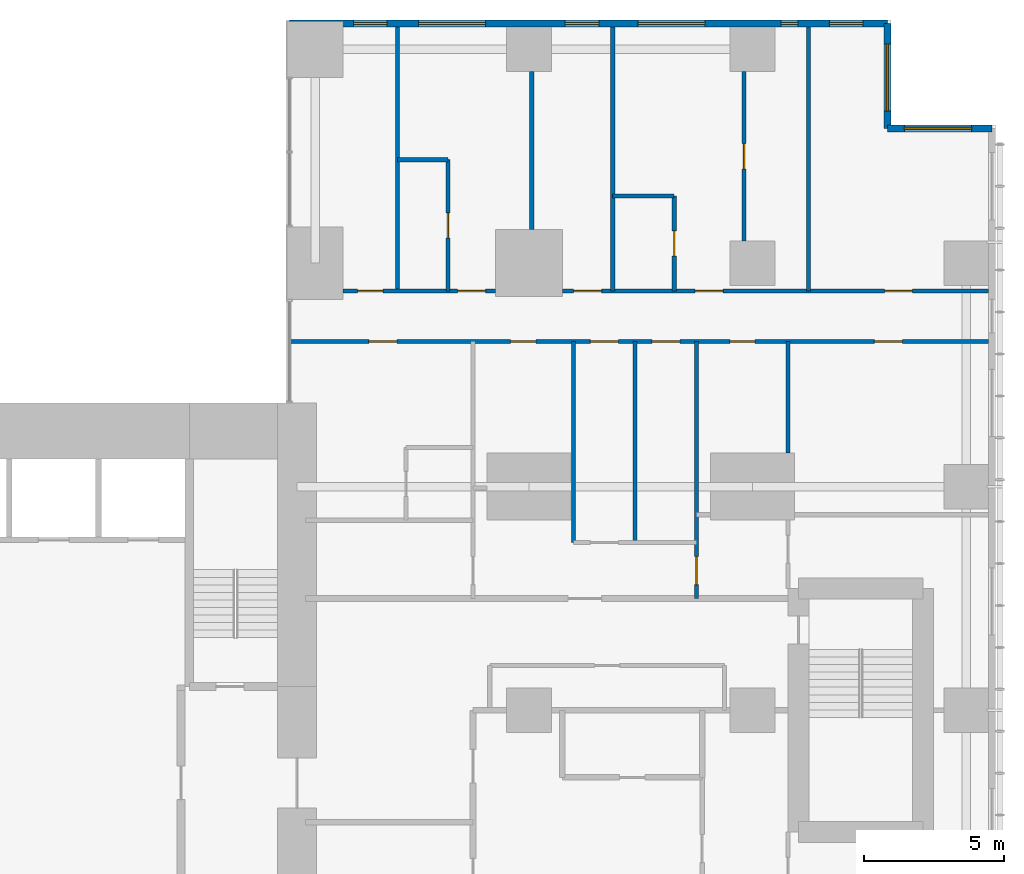
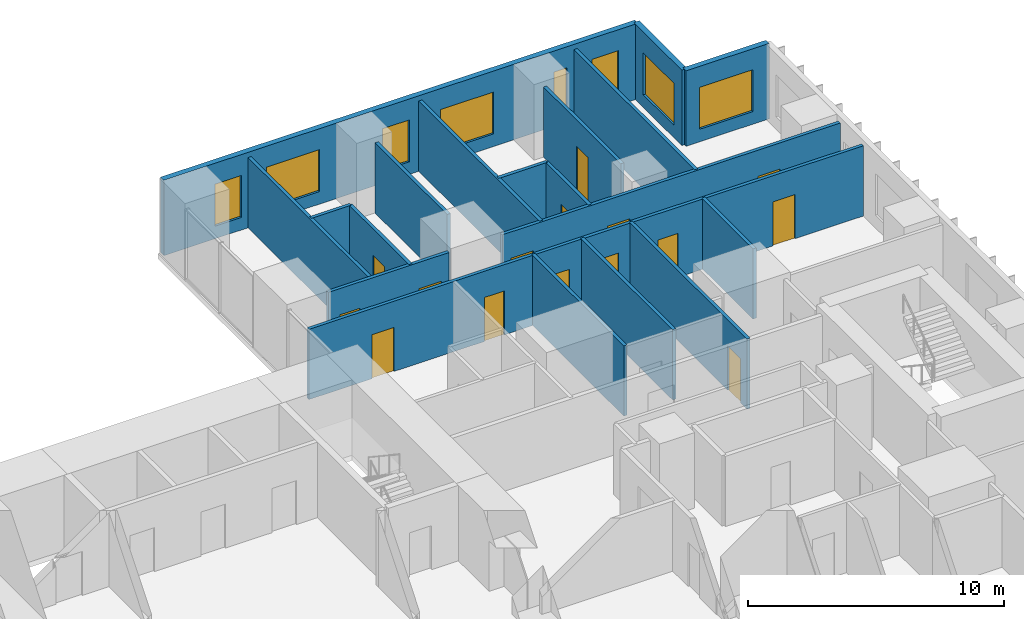
# One storey, part 10 of 12: 19 walls, 15 doors, 8 windows, 23 openings.
"""IFC4 building model written with IfcOpenShell, lengths in metres."""

from ifc_helpers import new_model, si_unit, direction, frame, frame_2d, origin, place, context, subcontext, project, spatial, rectangle, extrude, material, layer, layer_set, type_object, element, fill, save


model = new_model("IFC4")

# Units and contexts
model_context = context("Model", 3, precision=1e-05, world=origin(), true_north=direction((0.0, 1.0)))
body_context = subcontext(model_context, "Body", "Model", "MODEL_VIEW")
ifc_project = project(units=[si_unit("LENGTHUNIT", "METRE"), si_unit("AREAUNIT", "SQUARE_METRE"), si_unit("VOLUMEUNIT", "CUBIC_METRE"), si_unit("PLANEANGLEUNIT", "RADIAN"), si_unit("MASSUNIT", "GRAM", prefix="KILO")], contexts=[model_context])

# Site, building, storey
site_placement = place(None, origin())
site = spatial("IfcSite", under=ifc_project, at=site_placement, CompositionType="ELEMENT")
building_placement = place(site_placement, origin())
building = spatial("IfcBuilding", under=site, at=building_placement, Name="Cleftline Residences", CompositionType="ELEMENT")
storey_placement = place(building_placement, frame((0.0, 0.0, 262.800048828125)))
storey = spatial("IfcBuildingStorey", under=building, at=storey_placement, Name="L69", CompositionType="ELEMENT", Elevation=262.800048828125)

# Wall, opening, window
ifc_material_1 = material(Name="Rendered reinforced concrete blockwork", Category="masonry")
ifc_layer_1 = layer(ifc_material_1, 0.25)
ifc_layer_set_1 = layer_set([ifc_layer_1], Name="EXTERNAL WALL 250")
wall_type_1 = type_object("IfcWallType", Name="EXTERNAL WALL 250", PredefinedType="SOLIDWALL", material=ifc_layer_set_1)
wall_1_placement = place(storey_placement, frame((66.574951171875, 44.824951171875, 0.0), z_axis=(0.0, 0.0, 1.0), x_axis=(-1.0, 0.0, 0.0)))
wall_1 = element("IfcWall", 1, at=wall_1_placement, inside=storey, type_object=wall_type_1, Name="External wall", PredefinedType="SOLIDWALL", context=body_context, shape_type="SweptSolid", body=[
    extrude(rectangle(XDim=3.75, YDim=0.25, at=frame_2d((1.875, 0.0))), origin(), (0.0, 0.0, 1.0), 3.599853515625),
])
opening_1_placement = place(wall_1_placement, frame((0.737548828125, 0.0, 0.60009765625)))
opening_1 = element("IfcOpeningElement", 2, at=opening_1_placement, cuts=wall_1, Name="Opening W6", PredefinedType="OPENING", context=body_context, shape_type="SweptSolid", body=[
    extrude(rectangle(XDim=2.39990234375, YDim=2.0, at=frame_2d((1.199951171875, 1.0))), frame((0.0, 0.135009765625, 0.0), z_axis=(0.0, -1.0, 0.0), x_axis=(1.0, 0.0, 0.0)), (0.0, 0.0, 1.0), 0.27001953125),
])
ifc_material_2 = material(Name="Aluminium frame, clear double glazing", Category="aluminium")
window_type_1 = type_object("IfcWindowType", Name="WINDOW 2400X2000", PartitioningType="DOUBLE_PANEL_VERTICAL", PredefinedType="WINDOW", material=ifc_material_2)
window_1_placement = place(opening_1_placement, origin())
window_1 = element("IfcWindow", 3, at=window_1_placement, inside=storey, type_object=window_type_1, Name="Window", OverallHeight=2.0, OverallWidth=2.39990234375, PartitioningType="SINGLE_PANEL", PredefinedType="WINDOW", context=body_context, shape_type="SweptSolid", body=[
    extrude(rectangle(XDim=2.39990234375, YDim=2.0, at=frame_2d((1.199951171875, 1.0))), frame((0.0, 0.030029296875, 0.0), z_axis=(0.0, -1.0, 0.0), x_axis=(1.0, 0.0, 0.0)), (0.0, 0.0, 1.0), 0.06005859375),
])
fill(opening_1, window_1)

wall_2_placement = place(storey_placement, frame((62.824951171875, 44.824951171875, 0.0), z_axis=(0.0, 0.0, 1.0), x_axis=(0.0, 1.0, 0.0)))
wall_2 = element("IfcWall", 4, at=wall_2_placement, inside=storey, type_object=wall_type_1, Name="External wall", PredefinedType="SOLIDWALL", context=body_context, shape_type="SweptSolid", body=[
    extrude(rectangle(XDim=3.75, YDim=0.25, at=frame_2d((1.875, 0.0))), origin(), (0.0, 0.0, 1.0), 3.599853515625),
])
opening_2_placement = place(wall_2_placement, frame((0.612548828125, 0.0, 0.60009765625)))
opening_2 = element("IfcOpeningElement", 5, at=opening_2_placement, cuts=wall_2, Name="Opening W6", PredefinedType="OPENING", context=body_context, shape_type="SweptSolid", body=[
    extrude(rectangle(XDim=2.39990234375, YDim=2.0, at=frame_2d((1.199951171875, 1.0))), frame((0.0, 0.135009765625, 0.0), z_axis=(0.0, -1.0, 0.0), x_axis=(1.0, 0.0, 0.0)), (0.0, 0.0, 1.0), 0.27001953125),
])
window_2_placement = place(opening_2_placement, origin())
window_2 = element("IfcWindow", 6, at=window_2_placement, inside=storey, type_object=window_type_1, Name="Window", OverallHeight=2.0, OverallWidth=2.39990234375, PartitioningType="SINGLE_PANEL", PredefinedType="WINDOW", context=body_context, shape_type="SweptSolid", body=[
    extrude(rectangle(XDim=2.39990234375, YDim=2.0, at=frame_2d((1.199951171875, 1.0))), frame((0.0, 0.030029296875, 0.0), z_axis=(0.0, -1.0, 0.0), x_axis=(1.0, 0.0, 0.0)), (0.0, 0.0, 1.0), 0.06005859375),
])
fill(opening_2, window_2)

# Wall, openings, windows
wall_3_placement = place(storey_placement, frame((62.824951171875, 48.574951171875, 0.0), z_axis=(0.0, 0.0, 1.0), x_axis=(-1.0, 0.0, 0.0)))
wall_3 = element("IfcWall", 7, at=wall_3_placement, inside=storey, type_object=wall_type_1, Name="External wall", PredefinedType="SOLIDWALL", context=body_context, shape_type="SweptSolid", body=[
    extrude(rectangle(XDim=21.39990234375, YDim=0.25, at=frame_2d((10.699951171875, 0.0))), origin(), (0.0, 0.0, 1.0), 3.599853515625),
])
opening_3_placement = place(wall_3_placement, frame((0.875, 0.0, 0.60009765625)))
opening_3 = element("IfcOpeningElement", 8, at=opening_3_placement, cuts=wall_3, Name="Opening W8", PredefinedType="OPENING", context=body_context, shape_type="SweptSolid", body=[
    extrude(rectangle(XDim=1.199951171875, YDim=2.0, at=frame_2d((0.60009765625, 1.0))), frame((0.0, 0.135009765625, 0.0), z_axis=(0.0, -1.0, 0.0), x_axis=(1.0, 0.0, 0.0)), (0.0, 0.0, 1.0), 0.27001953125),
])
opening_4_placement = place(wall_3_placement, frame((3.199951171875, 0.0, 0.60009765625)))
opening_4 = element("IfcOpeningElement", 9, at=opening_4_placement, cuts=wall_3, Name="Opening W7", PredefinedType="OPENING", context=body_context, shape_type="SweptSolid", body=[
    extrude(rectangle(XDim=0.60009765625, YDim=2.0, at=frame_2d((0.300048828125, 1.0))), frame((0.0, 0.135009765625, 0.0), z_axis=(0.0, -1.0, 0.0), x_axis=(1.0, 0.0, 0.0)), (0.0, 0.0, 1.0), 0.27001953125),
])
opening_5_placement = place(wall_3_placement, frame((6.52490234375, 0.0, 0.60009765625)))
opening_5 = element("IfcOpeningElement", 10, at=opening_5_placement, cuts=wall_3, Name="Opening W6", PredefinedType="OPENING", context=body_context, shape_type="SweptSolid", body=[
    extrude(rectangle(XDim=2.39990234375, YDim=2.0, at=frame_2d((1.199951171875, 1.0))), frame((0.0, 0.135009765625, 0.0), z_axis=(0.0, -1.0, 0.0), x_axis=(1.0, 0.0, 0.0)), (0.0, 0.0, 1.0), 0.27001953125),
])
opening_6_placement = place(wall_3_placement, frame((10.324951171875, 0.0, 0.60009765625)))
opening_6 = element("IfcOpeningElement", 11, at=opening_6_placement, cuts=wall_3, Name="Opening W8", PredefinedType="OPENING", context=body_context, shape_type="SweptSolid", body=[
    extrude(rectangle(XDim=1.199951171875, YDim=2.0, at=frame_2d((0.60009765625, 1.0))), frame((0.0, 0.135009765625, 0.0), z_axis=(0.0, -1.0, 0.0), x_axis=(1.0, 0.0, 0.0)), (0.0, 0.0, 1.0), 0.27001953125),
])
opening_7_placement = place(wall_3_placement, frame((14.375, 0.0, 0.60009765625)))
opening_7 = element("IfcOpeningElement", 12, at=opening_7_placement, cuts=wall_3, Name="Opening W6", PredefinedType="OPENING", context=body_context, shape_type="SweptSolid", body=[
    extrude(rectangle(XDim=2.39990234375, YDim=2.0, at=frame_2d((1.199951171875, 1.0))), frame((0.0, 0.135009765625, 0.0), z_axis=(0.0, -1.0, 0.0), x_axis=(1.0, 0.0, 0.0)), (0.0, 0.0, 1.0), 0.27001953125),
])
opening_8_placement = place(wall_3_placement, frame((17.89990234375, 0.0, 0.60009765625)))
opening_8 = element("IfcOpeningElement", 13, at=opening_8_placement, cuts=wall_3, Name="Opening W8", PredefinedType="OPENING", context=body_context, shape_type="SweptSolid", body=[
    extrude(rectangle(XDim=1.199951171875, YDim=2.0, at=frame_2d((0.60009765625, 1.0))), frame((0.0, 0.135009765625, 0.0), z_axis=(0.0, -1.0, 0.0), x_axis=(1.0, 0.0, 0.0)), (0.0, 0.0, 1.0), 0.27001953125),
])
ifc_material_3 = material(Name="Aluminium frame, clear double glazing", Category="aluminium")
window_type_2 = type_object("IfcWindowType", Name="WINDOW 1200X2000", PartitioningType="DOUBLE_PANEL_VERTICAL", PredefinedType="WINDOW", material=ifc_material_3)
window_3_placement = place(opening_3_placement, origin())
window_3 = element("IfcWindow", 14, at=window_3_placement, inside=storey, type_object=window_type_2, Name="Window", OverallHeight=2.0, OverallWidth=1.199951171875, PartitioningType="SINGLE_PANEL", PredefinedType="WINDOW", context=body_context, shape_type="SweptSolid", body=[
    extrude(rectangle(XDim=1.199951171875, YDim=2.0, at=frame_2d((0.60009765625, 1.0))), frame((0.0, 0.030029296875, 0.0), z_axis=(0.0, -1.0, 0.0), x_axis=(1.0, 0.0, 0.0)), (0.0, 0.0, 1.0), 0.06005859375),
])
fill(opening_3, window_3)
window_4_placement = place(opening_6_placement, origin())
window_4 = element("IfcWindow", 15, at=window_4_placement, inside=storey, type_object=window_type_2, Name="Window", OverallHeight=2.0, OverallWidth=1.199951171875, PartitioningType="SINGLE_PANEL", PredefinedType="WINDOW", context=body_context, shape_type="SweptSolid", body=[
    extrude(rectangle(XDim=1.199951171875, YDim=2.0, at=frame_2d((0.60009765625, 1.0))), frame((0.0, 0.030029296875, 0.0), z_axis=(0.0, -1.0, 0.0), x_axis=(1.0, 0.0, 0.0)), (0.0, 0.0, 1.0), 0.06005859375),
])
fill(opening_6, window_4)
window_5_placement = place(opening_8_placement, origin())
window_5 = element("IfcWindow", 16, at=window_5_placement, inside=storey, type_object=window_type_2, Name="Window", OverallHeight=2.0, OverallWidth=1.199951171875, PartitioningType="SINGLE_PANEL", PredefinedType="WINDOW", context=body_context, shape_type="SweptSolid", body=[
    extrude(rectangle(XDim=1.199951171875, YDim=2.0, at=frame_2d((0.60009765625, 1.0))), frame((0.0, 0.030029296875, 0.0), z_axis=(0.0, -1.0, 0.0), x_axis=(1.0, 0.0, 0.0)), (0.0, 0.0, 1.0), 0.06005859375),
])
fill(opening_8, window_5)
window_6_placement = place(opening_5_placement, origin())
window_6 = element("IfcWindow", 17, at=window_6_placement, inside=storey, type_object=window_type_1, Name="Window", OverallHeight=2.0, OverallWidth=2.39990234375, PartitioningType="SINGLE_PANEL", PredefinedType="WINDOW", context=body_context, shape_type="SweptSolid", body=[
    extrude(rectangle(XDim=2.39990234375, YDim=2.0, at=frame_2d((1.199951171875, 1.0))), frame((0.0, 0.030029296875, 0.0), z_axis=(0.0, -1.0, 0.0), x_axis=(1.0, 0.0, 0.0)), (0.0, 0.0, 1.0), 0.06005859375),
])
fill(opening_5, window_6)
window_7_placement = place(opening_7_placement, origin())
window_7 = element("IfcWindow", 18, at=window_7_placement, inside=storey, type_object=window_type_1, Name="Window", OverallHeight=2.0, OverallWidth=2.39990234375, PartitioningType="SINGLE_PANEL", PredefinedType="WINDOW", context=body_context, shape_type="SweptSolid", body=[
    extrude(rectangle(XDim=2.39990234375, YDim=2.0, at=frame_2d((1.199951171875, 1.0))), frame((0.0, 0.030029296875, 0.0), z_axis=(0.0, -1.0, 0.0), x_axis=(1.0, 0.0, 0.0)), (0.0, 0.0, 1.0), 0.06005859375),
])
fill(opening_7, window_7)
ifc_material_4 = material(Name="Aluminium frame, clear double glazing", Category="aluminium")
window_type_3 = type_object("IfcWindowType", Name="WINDOW 600X2000", PartitioningType="DOUBLE_PANEL_VERTICAL", PredefinedType="WINDOW", material=ifc_material_4)
window_8_placement = place(opening_4_placement, origin())
window_8 = element("IfcWindow", 19, at=window_8_placement, inside=storey, type_object=window_type_3, Name="Window", OverallHeight=2.0, OverallWidth=0.60009765625, PartitioningType="SINGLE_PANEL", PredefinedType="WINDOW", context=body_context, shape_type="SweptSolid", body=[
    extrude(rectangle(XDim=0.60009765625, YDim=2.0, at=frame_2d((0.300048828125, 1.0))), frame((0.0, 0.030029296875, 0.0), z_axis=(0.0, -1.0, 0.0), x_axis=(1.0, 0.0, 0.0)), (0.0, 0.0, 1.0), 0.06005859375),
])
fill(opening_4, window_8)

# Wall, openings, doors
ifc_material_5 = material(Name="Gypsum board on steel studs", Category="steel")
ifc_layer_2 = layer(ifc_material_5, 0.14990234375)
ifc_layer_set_2 = layer_set([ifc_layer_2], Name="PARTITION 150")
wall_type_2 = type_object("IfcWallType", Name="PARTITION 150", PredefinedType="PARTITIONING", material=ifc_layer_set_2)
wall_4_placement = place(storey_placement, frame((41.43896484375, 37.199951171875, 0.0), z_axis=(0.0, 0.0, 1.0), x_axis=(1.0, 0.0, 0.0)))
wall_4 = element("IfcWall", 20, at=wall_4_placement, inside=storey, type_object=wall_type_2, Name="Partition", PredefinedType="PARTITIONING", context=body_context, shape_type="SweptSolid", body=[
    extrude(rectangle(XDim=25.010986328125, YDim=0.14990234375, at=frame_2d((12.50537109375, 0.0))), origin(), (0.0, 0.0, 1.0), 3.349853515625),
])
opening_9_placement = place(wall_4_placement, frame((10.760986328125, 0.0, 0.0)))
opening_9 = element("IfcOpeningElement", 21, at=opening_9_placement, cuts=wall_4, Name="Opening D2", PredefinedType="OPENING", context=body_context, shape_type="SweptSolid", body=[
    extrude(rectangle(XDim=1.0, YDim=2.10009765625, at=frame_2d((0.5, 1.050048828125))), frame((0.0, 0.0849609375, 0.0), z_axis=(0.0, -1.0, 0.0), x_axis=(1.0, 0.0, 0.0)), (0.0, 0.0, 1.0), 0.169921875),
])
opening_10_placement = place(wall_4_placement, frame((20.923583984375, 0.0, 0.0)))
opening_10 = element("IfcOpeningElement", 22, at=opening_10_placement, cuts=wall_4, Name="Opening D2", PredefinedType="OPENING", context=body_context, shape_type="SweptSolid", body=[
    extrude(rectangle(XDim=1.0, YDim=2.10009765625, at=frame_2d((0.5, 1.050048828125))), frame((0.0, 0.0849609375, 0.0), z_axis=(0.0, -1.0, 0.0), x_axis=(1.0, 0.0, 0.0)), (0.0, 0.0, 1.0), 0.169921875),
])
opening_11_placement = place(wall_4_placement, frame((15.74853515625, 0.0, 0.0)))
opening_11 = element("IfcOpeningElement", 23, at=opening_11_placement, cuts=wall_4, Name="Opening D1", PredefinedType="OPENING", context=body_context, shape_type="SweptSolid", body=[
    extrude(rectangle(XDim=0.89990234375, YDim=2.10009765625, at=frame_2d((0.449951171875, 1.050048828125))), frame((0.0, 0.0849609375, 0.0), z_axis=(0.0, -1.0, 0.0), x_axis=(1.0, 0.0, 0.0)), (0.0, 0.0, 1.0), 0.169921875),
])
opening_12_placement = place(wall_4_placement, frame((12.9609375, 0.0, 0.0)))
opening_12 = element("IfcOpeningElement", 24, at=opening_12_placement, cuts=wall_4, Name="Opening D2", PredefinedType="OPENING", context=body_context, shape_type="SweptSolid", body=[
    extrude(rectangle(XDim=1.0, YDim=2.10009765625, at=frame_2d((0.5, 1.050048828125))), frame((0.0, 0.0849609375, 0.0), z_axis=(0.0, -1.0, 0.0), x_axis=(1.0, 0.0, 0.0)), (0.0, 0.0, 1.0), 0.169921875),
])
opening_13_placement = place(wall_4_placement, frame((7.910888671875, 0.0, 0.0)))
opening_13 = element("IfcOpeningElement", 25, at=opening_13_placement, cuts=wall_4, Name="Opening D1", PredefinedType="OPENING", context=body_context, shape_type="SweptSolid", body=[
    extrude(rectangle(XDim=0.89990234375, YDim=2.10009765625, at=frame_2d((0.449951171875, 1.050048828125))), frame((0.0, 0.0849609375, 0.0), z_axis=(0.0, -1.0, 0.0), x_axis=(1.0, 0.0, 0.0)), (0.0, 0.0, 1.0), 0.169921875),
])
opening_14_placement = place(wall_4_placement, frame((2.8359375, 0.0, 0.0)))
opening_14 = element("IfcOpeningElement", 26, at=opening_14_placement, cuts=wall_4, Name="Opening D2", PredefinedType="OPENING", context=body_context, shape_type="SweptSolid", body=[
    extrude(rectangle(XDim=1.0, YDim=2.10009765625, at=frame_2d((0.5, 1.050048828125))), frame((0.0, 0.0849609375, 0.0), z_axis=(0.0, -1.0, 0.0), x_axis=(1.0, 0.0, 0.0)), (0.0, 0.0, 1.0), 0.169921875),
])
ifc_material_6 = material(Name="Timber veneer on solid core", Category="wood")
door_type_1 = type_object("IfcDoorType", Name="DOOR 1000X2100", OperationType="SINGLE_SWING_LEFT", PredefinedType="DOOR", material=ifc_material_6)
door_1_placement = place(opening_9_placement, origin())
door_1 = element("IfcDoor", 27, at=door_1_placement, inside=storey, type_object=door_type_1, Name="Door to residence hall", OperationType="SINGLE_SWING_RIGHT", OverallHeight=2.10009765625, OverallWidth=1.0, PredefinedType="DOOR", context=body_context, shape_type="SweptSolid", body=[
    extrude(rectangle(XDim=1.0, YDim=2.10009765625, at=frame_2d((0.5, 1.050048828125))), frame((0.0, 0.02490234375, 0.0), z_axis=(0.0, -1.0, 0.0), x_axis=(1.0, 0.0, 0.0)), (0.0, 0.0, 1.0), 0.050048828125),
])
fill(opening_9, door_1)
door_2_placement = place(opening_10_placement, origin())
door_2 = element("IfcDoor", 28, at=door_2_placement, inside=storey, type_object=door_type_1, Name="Door to master bedroom", OperationType="SINGLE_SWING_LEFT", OverallHeight=2.10009765625, OverallWidth=1.0, PredefinedType="DOOR", context=body_context, shape_type="SweptSolid", body=[
    extrude(rectangle(XDim=1.0, YDim=2.10009765625, at=frame_2d((0.5, 1.050048828125))), frame((0.0, 0.02490234375, 0.0), z_axis=(0.0, -1.0, 0.0), x_axis=(1.0, 0.0, 0.0)), (0.0, 0.0, 1.0), 0.050048828125),
])
fill(opening_10, door_2)
door_3_placement = place(opening_12_placement, origin())
door_3 = element("IfcDoor", 29, at=door_3_placement, inside=storey, type_object=door_type_1, Name="Door to family room", OperationType="SINGLE_SWING_LEFT", OverallHeight=2.10009765625, OverallWidth=1.0, PredefinedType="DOOR", context=body_context, shape_type="SweptSolid", body=[
    extrude(rectangle(XDim=1.0, YDim=2.10009765625, at=frame_2d((0.5, 1.050048828125))), frame((0.0, 0.02490234375, 0.0), z_axis=(0.0, -1.0, 0.0), x_axis=(1.0, 0.0, 0.0)), (0.0, 0.0, 1.0), 0.050048828125),
])
fill(opening_12, door_3)
door_4_placement = place(opening_14_placement, origin())
door_4 = element("IfcDoor", 30, at=door_4_placement, inside=storey, type_object=door_type_1, Name="Door to bedroom 4", OperationType="SINGLE_SWING_RIGHT", OverallHeight=2.10009765625, OverallWidth=1.0, PredefinedType="DOOR", context=body_context, shape_type="SweptSolid", body=[
    extrude(rectangle(XDim=1.0, YDim=2.10009765625, at=frame_2d((0.5, 1.050048828125))), frame((0.0, 0.02490234375, 0.0), z_axis=(0.0, -1.0, 0.0), x_axis=(1.0, 0.0, 0.0)), (0.0, 0.0, 1.0), 0.050048828125),
])
fill(opening_14, door_4)
ifc_material_7 = material(Name="Timber veneer on solid core", Category="wood")
door_type_2 = type_object("IfcDoorType", Name="DOOR 900X2100", OperationType="SINGLE_SWING_LEFT", PredefinedType="DOOR", material=ifc_material_7)
door_5_placement = place(opening_11_placement, origin())
door_5 = element("IfcDoor", 31, at=door_5_placement, inside=storey, type_object=door_type_2, Name="Door to master bathroom", OperationType="SINGLE_SWING_LEFT", OverallHeight=2.10009765625, OverallWidth=0.89990234375, PredefinedType="DOOR", context=body_context, shape_type="SweptSolid", body=[
    extrude(rectangle(XDim=0.89990234375, YDim=2.10009765625, at=frame_2d((0.449951171875, 1.050048828125))), frame((0.0, 0.02490234375, 0.0), z_axis=(0.0, -1.0, 0.0), x_axis=(1.0, 0.0, 0.0)), (0.0, 0.0, 1.0), 0.050048828125),
])
fill(opening_11, door_5)
door_6_placement = place(opening_13_placement, origin())
door_6 = element("IfcDoor", 32, at=door_6_placement, inside=storey, type_object=door_type_2, Name="Door to master dressing room", OperationType="SINGLE_SWING_RIGHT", OverallHeight=2.10009765625, OverallWidth=0.89990234375, PredefinedType="DOOR", context=body_context, shape_type="SweptSolid", body=[
    extrude(rectangle(XDim=0.89990234375, YDim=2.10009765625, at=frame_2d((0.449951171875, 1.050048828125))), frame((0.0, 0.02490234375, 0.0), z_axis=(0.0, -1.0, 0.0), x_axis=(1.0, 0.0, 0.0)), (0.0, 0.0, 1.0), 0.050048828125),
])
fill(opening_13, door_6)

wall_5_placement = place(storey_placement, frame((43.35009765625, 39.0, 0.0), z_axis=(0.0, 0.0, 1.0), x_axis=(1.0, 0.0, 0.0)))
wall_5 = element("IfcWall", 33, at=wall_5_placement, inside=storey, type_object=wall_type_2, Name="Partition", PredefinedType="PARTITIONING", context=body_context, shape_type="SweptSolid", body=[
    extrude(rectangle(XDim=5.449951171875, YDim=0.14990234375, at=frame_2d((2.72509765625, 0.0))), origin(), (0.0, 0.0, 1.0), 3.349853515625),
])
opening_15_placement = place(wall_5_placement, frame((4.10009765625, 0.0, 0.0)))
opening_15 = element("IfcOpeningElement", 34, at=opening_15_placement, cuts=wall_5, Name="Opening D2", PredefinedType="OPENING", context=body_context, shape_type="SweptSolid", body=[
    extrude(rectangle(XDim=1.0, YDim=2.10009765625, at=frame_2d((0.5, 1.050048828125))), frame((0.0, 0.0849609375, 0.0), z_axis=(0.0, -1.0, 0.0), x_axis=(1.0, 0.0, 0.0)), (0.0, 0.0, 1.0), 0.169921875),
])
opening_16_placement = place(wall_5_placement, frame((0.52490234375, 0.0, 0.0)))
opening_16 = element("IfcOpeningElement", 35, at=opening_16_placement, cuts=wall_5, Name="Opening D1", PredefinedType="OPENING", context=body_context, shape_type="SweptSolid", body=[
    extrude(rectangle(XDim=0.89990234375, YDim=2.10009765625, at=frame_2d((0.449951171875, 1.050048828125))), frame((0.0, 0.0849609375, 0.0), z_axis=(0.0, -1.0, 0.0), x_axis=(1.0, 0.0, 0.0)), (0.0, 0.0, 1.0), 0.169921875),
])
door_7_placement = place(opening_15_placement, origin())
door_7 = element("IfcDoor", 36, at=door_7_placement, inside=storey, type_object=door_type_1, Name="Door to bedroom 3", OperationType="SINGLE_SWING_LEFT", OverallHeight=2.10009765625, OverallWidth=1.0, PredefinedType="DOOR", context=body_context, shape_type="SweptSolid", body=[
    extrude(rectangle(XDim=1.0, YDim=2.10009765625, at=frame_2d((0.5, 1.050048828125))), frame((0.0, 0.02490234375, 0.0), z_axis=(0.0, -1.0, 0.0), x_axis=(1.0, 0.0, 0.0)), (0.0, 0.0, 1.0), 0.050048828125),
])
fill(opening_15, door_7)
door_8_placement = place(opening_16_placement, origin())
door_8 = element("IfcDoor", 37, at=door_8_placement, inside=storey, type_object=door_type_2, Name="Door to dressing room", OperationType="SINGLE_SWING_RIGHT", OverallHeight=2.10009765625, OverallWidth=0.89990234375, PredefinedType="DOOR", context=body_context, shape_type="SweptSolid", body=[
    extrude(rectangle(XDim=0.89990234375, YDim=2.10009765625, at=frame_2d((0.449951171875, 1.050048828125))), frame((0.0, 0.02490234375, 0.0), z_axis=(0.0, -1.0, 0.0), x_axis=(1.0, 0.0, 0.0)), (0.0, 0.0, 1.0), 0.050048828125),
])
fill(opening_16, door_8)

wall_6_placement = place(storey_placement, frame((51.199951171875, 39.0, 0.0), z_axis=(0.0, 0.0, 1.0), x_axis=(1.0, 0.0, 0.0)))
wall_6 = element("IfcWall", 38, at=wall_6_placement, inside=storey, type_object=wall_type_2, Name="Partition", PredefinedType="PARTITIONING", context=body_context, shape_type="SweptSolid", body=[
    extrude(rectangle(XDim=15.25, YDim=0.14990234375, at=frame_2d((7.625, 0.0))), origin(), (0.0, 0.0, 1.0), 3.349853515625),
])
opening_17_placement = place(wall_6_placement, frame((11.52490234375, 0.0, 0.0)))
opening_17 = element("IfcOpeningElement", 39, at=opening_17_placement, cuts=wall_6, Name="Opening D2", PredefinedType="OPENING", context=body_context, shape_type="SweptSolid", body=[
    extrude(rectangle(XDim=1.0, YDim=2.10009765625, at=frame_2d((0.5, 1.050048828125))), frame((0.0, 0.0849609375, 0.0), z_axis=(0.0, -1.0, 0.0), x_axis=(1.0, 0.0, 0.0)), (0.0, 0.0, 1.0), 0.169921875),
])
opening_18_placement = place(wall_6_placement, frame((4.75, 0.0, 0.0)))
opening_18 = element("IfcOpeningElement", 40, at=opening_18_placement, cuts=wall_6, Name="Opening D2", PredefinedType="OPENING", context=body_context, shape_type="SweptSolid", body=[
    extrude(rectangle(XDim=1.0, YDim=2.10009765625, at=frame_2d((0.5, 1.050048828125))), frame((0.0, 0.0849609375, 0.0), z_axis=(0.0, -1.0, 0.0), x_axis=(1.0, 0.0, 0.0)), (0.0, 0.0, 1.0), 0.169921875),
])
opening_19_placement = place(wall_6_placement, frame((0.39990234375, 0.0, 0.0)))
opening_19 = element("IfcOpeningElement", 41, at=opening_19_placement, cuts=wall_6, Name="Opening D2", PredefinedType="OPENING", context=body_context, shape_type="SweptSolid", body=[
    extrude(rectangle(XDim=1.0, YDim=2.10009765625, at=frame_2d((0.5, 1.050048828125))), frame((0.0, 0.0849609375, 0.0), z_axis=(0.0, -1.0, 0.0), x_axis=(1.0, 0.0, 0.0)), (0.0, 0.0, 1.0), 0.169921875),
])
door_9_placement = place(opening_17_placement, origin())
door_9 = element("IfcDoor", 42, at=door_9_placement, inside=storey, type_object=door_type_1, Name="Door to gym", OperationType="SINGLE_SWING_LEFT", OverallHeight=2.10009765625, OverallWidth=1.0, PredefinedType="DOOR", context=body_context, shape_type="SweptSolid", body=[
    extrude(rectangle(XDim=1.0, YDim=2.10009765625, at=frame_2d((0.5, 1.050048828125))), frame((0.0, 0.02490234375, 0.0), z_axis=(0.0, -1.0, 0.0), x_axis=(1.0, 0.0, 0.0)), (0.0, 0.0, 1.0), 0.050048828125),
])
fill(opening_17, door_9)
door_10_placement = place(opening_18_placement, origin())
door_10 = element("IfcDoor", 43, at=door_10_placement, inside=storey, type_object=door_type_1, Name="Door to bedroom 2", OperationType="SINGLE_SWING_RIGHT", OverallHeight=2.10009765625, OverallWidth=1.0, PredefinedType="DOOR", context=body_context, shape_type="SweptSolid", body=[
    extrude(rectangle(XDim=1.0, YDim=2.10009765625, at=frame_2d((0.5, 1.050048828125))), frame((0.0, 0.02490234375, 0.0), z_axis=(0.0, -1.0, 0.0), x_axis=(1.0, 0.0, 0.0)), (0.0, 0.0, 1.0), 0.050048828125),
])
fill(opening_18, door_10)
door_11_placement = place(opening_19_placement, origin())
door_11 = element("IfcDoor", 44, at=door_11_placement, inside=storey, type_object=door_type_1, Name="Door to bedroom 3 sitting room", OperationType="SINGLE_SWING_RIGHT", OverallHeight=2.10009765625, OverallWidth=1.0, PredefinedType="DOOR", context=body_context, shape_type="SweptSolid", body=[
    extrude(rectangle(XDim=1.0, YDim=2.10009765625, at=frame_2d((0.5, 1.050048828125))), frame((0.0, 0.02490234375, 0.0), z_axis=(0.0, -1.0, 0.0), x_axis=(1.0, 0.0, 0.0)), (0.0, 0.0, 1.0), 0.050048828125),
])
fill(opening_19, door_11)

# Walls
wall_7_placement = place(storey_placement, frame((53.0, 42.39990234375, 0.0), z_axis=(0.0, 0.0, 1.0), x_axis=(1.0, 0.0, 0.0)))
element("IfcWall", 45, at=wall_7_placement, inside=storey, type_object=wall_type_2, Name="Partition", PredefinedType="PARTITIONING", context=body_context, shape_type="SweptSolid", body=[
    extrude(rectangle(XDim=2.199951171875, YDim=0.14990234375, at=frame_2d((1.10009765625, 0.0))), origin(), (0.0, 0.0, 1.0), 3.349853515625),
])
wall_8_placement = place(storey_placement, frame((45.300048828125, 43.699951171875, 0.0), z_axis=(0.0, 0.0, 1.0), x_axis=(1.0, 0.0, 0.0)))
element("IfcWall", 46, at=wall_8_placement, inside=storey, type_object=wall_type_2, Name="Partition", PredefinedType="PARTITIONING", context=body_context, shape_type="SweptSolid", body=[
    extrude(rectangle(XDim=1.800048828125, YDim=0.14990234375, at=frame_2d((0.89990234375, 0.0))), origin(), (0.0, 0.0, 1.0), 3.349853515625),
])
wall_9_placement = place(storey_placement, frame((45.300048828125, 39.0, 0.0), z_axis=(0.0, 0.0, 1.0), x_axis=(0.0, 1.0, 0.0)))
element("IfcWall", 47, at=wall_9_placement, inside=storey, type_object=wall_type_2, Name="Partition", PredefinedType="PARTITIONING", context=body_context, shape_type="SweptSolid", body=[
    extrude(rectangle(XDim=9.449951171875, YDim=0.14990234375, at=frame_2d((4.72509765625, 0.0))), origin(), (0.0, 0.0, 1.0), 3.349853515625),
])

# Wall, opening, door
wall_10_placement = place(storey_placement, frame((47.10009765625, 39.0, 0.0), z_axis=(0.0, 0.0, 1.0), x_axis=(0.0, 1.0, 0.0)))
wall_10 = element("IfcWall", 48, at=wall_10_placement, inside=storey, type_object=wall_type_2, Name="Partition", PredefinedType="PARTITIONING", context=body_context, shape_type="SweptSolid", body=[
    extrude(rectangle(XDim=4.699951171875, YDim=0.14990234375, at=frame_2d((2.35009765625, 0.0))), origin(), (0.0, 0.0, 1.0), 3.349853515625),
])
opening_20_placement = place(wall_10_placement, frame((1.89990234375, 0.0, 0.0)))
opening_20 = element("IfcOpeningElement", 49, at=opening_20_placement, cuts=wall_10, Name="Opening D1", PredefinedType="OPENING", context=body_context, shape_type="SweptSolid", body=[
    extrude(rectangle(XDim=0.89990234375, YDim=2.10009765625, at=frame_2d((0.449951171875, 1.050048828125))), frame((0.0, 0.0849609375, 0.0), z_axis=(0.0, -1.0, 0.0), x_axis=(1.0, 0.0, 0.0)), (0.0, 0.0, 1.0), 0.169921875),
])
door_12_placement = place(opening_20_placement, origin())
door_12 = element("IfcDoor", 50, at=door_12_placement, inside=storey, type_object=door_type_2, Name="Door to en-suite bathroom 3", OperationType="SINGLE_SWING_LEFT", OverallHeight=2.10009765625, OverallWidth=0.89990234375, PredefinedType="DOOR", context=body_context, shape_type="SweptSolid", body=[
    extrude(rectangle(XDim=0.89990234375, YDim=2.10009765625, at=frame_2d((0.449951171875, 1.050048828125))), frame((0.0, 0.02490234375, 0.0), z_axis=(0.0, -1.0, 0.0), x_axis=(1.0, 0.0, 0.0)), (0.0, 0.0, 1.0), 0.050048828125),
])
fill(opening_20, door_12)

# Walls
wall_11_placement = place(storey_placement, frame((50.10009765625, 41.199951171875, 0.0), z_axis=(0.0, 0.0, 1.0), x_axis=(0.0, 1.0, 0.0)))
element("IfcWall", 51, at=wall_11_placement, inside=storey, type_object=wall_type_2, Name="Partition", PredefinedType="PARTITIONING", context=body_context, shape_type="SweptSolid", body=[
    extrude(rectangle(XDim=5.650146484375, YDim=0.14990234375, at=frame_2d((2.8251953125, 0.0))), origin(), (0.0, 0.0, 1.0), 3.349853515625),
])
wall_12_placement = place(storey_placement, frame((51.60009765625, 30.0, 0.0), z_axis=(0.0, 0.0, 1.0), x_axis=(0.0, 1.0, 0.0)))
element("IfcWall", 52, at=wall_12_placement, inside=storey, type_object=wall_type_2, Name="Partition", PredefinedType="PARTITIONING", context=body_context, shape_type="SweptSolid", body=[
    extrude(rectangle(XDim=7.199951171875, YDim=0.14990234375, at=frame_2d((3.60009765625, 0.0))), origin(), (0.0, 0.0, 1.0), 3.349853515625),
])
wall_13_placement = place(storey_placement, frame((53.0, 39.0, 0.0), z_axis=(0.0, 0.0, 1.0), x_axis=(0.0, 1.0, 0.0)))
element("IfcWall", 53, at=wall_13_placement, inside=storey, type_object=wall_type_2, Name="Partition", PredefinedType="PARTITIONING", context=body_context, shape_type="SweptSolid", body=[
    extrude(rectangle(XDim=9.449951171875, YDim=0.14990234375, at=frame_2d((4.72509765625, 0.0))), origin(), (0.0, 0.0, 1.0), 3.349853515625),
])
wall_14_placement = place(storey_placement, frame((53.800048828125, 30.0, 0.0), z_axis=(0.0, 0.0, 1.0), x_axis=(0.0, 1.0, 0.0)))
element("IfcWall", 54, at=wall_14_placement, inside=storey, type_object=wall_type_2, Name="Partition", PredefinedType="PARTITIONING", context=body_context, shape_type="SweptSolid", body=[
    extrude(rectangle(XDim=7.199951171875, YDim=0.14990234375, at=frame_2d((3.60009765625, 0.0))), origin(), (0.0, 0.0, 1.0), 3.349853515625),
])

# Wall, opening, door
wall_15_placement = place(storey_placement, frame((55.199951171875, 39.0, 0.0), z_axis=(0.0, 0.0, 1.0), x_axis=(0.0, 1.0, 0.0)))
wall_15 = element("IfcWall", 55, at=wall_15_placement, inside=storey, type_object=wall_type_2, Name="Partition", PredefinedType="PARTITIONING", context=body_context, shape_type="SweptSolid", body=[
    extrude(rectangle(XDim=3.39990234375, YDim=0.14990234375, at=frame_2d((1.699951171875, 0.0))), origin(), (0.0, 0.0, 1.0), 3.349853515625),
])
opening_21_placement = place(wall_15_placement, frame((1.25, 0.0, 0.0)))
opening_21 = element("IfcOpeningElement", 56, at=opening_21_placement, cuts=wall_15, Name="Opening D1", PredefinedType="OPENING", context=body_context, shape_type="SweptSolid", body=[
    extrude(rectangle(XDim=0.89990234375, YDim=2.10009765625, at=frame_2d((0.449951171875, 1.050048828125))), frame((0.0, 0.0849609375, 0.0), z_axis=(0.0, -1.0, 0.0), x_axis=(1.0, 0.0, 0.0)), (0.0, 0.0, 1.0), 0.169921875),
])
door_13_placement = place(opening_21_placement, origin())
door_13 = element("IfcDoor", 57, at=door_13_placement, inside=storey, type_object=door_type_2, Name="Door to en-suite bathroom 2", OperationType="SINGLE_SWING_LEFT", OverallHeight=2.10009765625, OverallWidth=0.89990234375, PredefinedType="DOOR", context=body_context, shape_type="SweptSolid", body=[
    extrude(rectangle(XDim=0.89990234375, YDim=2.10009765625, at=frame_2d((0.449951171875, 1.050048828125))), frame((0.0, 0.02490234375, 0.0), z_axis=(0.0, -1.0, 0.0), x_axis=(1.0, 0.0, 0.0)), (0.0, 0.0, 1.0), 0.050048828125),
])
fill(opening_21, door_13)

wall_16_placement = place(storey_placement, frame((56.0, 28.0, 0.0), z_axis=(0.0, 0.0, 1.0), x_axis=(0.0, 1.0, 0.0)))
wall_16 = element("IfcWall", 58, at=wall_16_placement, inside=storey, type_object=wall_type_2, Name="Partition", PredefinedType="PARTITIONING", context=body_context, shape_type="SweptSolid", body=[
    extrude(rectangle(XDim=9.199951171875, YDim=0.14990234375, at=frame_2d((4.60009765625, 0.0))), origin(), (0.0, 0.0, 1.0), 3.349853515625),
])
opening_22_placement = place(wall_16_placement, frame((0.5, 0.0, 0.0)))
opening_22 = element("IfcOpeningElement", 59, at=opening_22_placement, cuts=wall_16, Name="Opening D2F30", PredefinedType="OPENING", context=body_context, shape_type="SweptSolid", body=[
    extrude(rectangle(XDim=1.0, YDim=2.10009765625, at=frame_2d((0.5, 1.050048828125))), frame((0.0, 0.0849609375, 0.0), z_axis=(0.0, -1.0, 0.0), x_axis=(1.0, 0.0, 0.0)), (0.0, 0.0, 1.0), 0.169921875),
])
ifc_material_8 = material(Name="Timber veneer on solid core", Category="wood")
door_type_3 = type_object("IfcDoorType", Name="DOOR 1000X2100 EI 30", OperationType="SINGLE_SWING_LEFT", PredefinedType="DOOR", material=ifc_material_8)
door_14_placement = place(opening_22_placement, origin())
door_14 = element("IfcDoor", 60, at=door_14_placement, inside=storey, type_object=door_type_3, Name="Door to residence lobby (service)", OperationType="SINGLE_SWING_RIGHT", OverallHeight=2.10009765625, OverallWidth=1.0, PredefinedType="DOOR", context=body_context, shape_type="SweptSolid", body=[
    extrude(rectangle(XDim=1.0, YDim=2.10009765625, at=frame_2d((0.5, 1.050048828125))), frame((0.0, 0.02490234375, 0.0), z_axis=(0.0, -1.0, 0.0), x_axis=(1.0, 0.0, 0.0)), (0.0, 0.0, 1.0), 0.050048828125),
])
fill(opening_22, door_14)

wall_17_placement = place(storey_placement, frame((57.699951171875, 40.800048828125, 0.0), z_axis=(0.0, 0.0, 1.0), x_axis=(0.0, 1.0, 0.0)))
wall_17 = element("IfcWall", 61, at=wall_17_placement, inside=storey, type_object=wall_type_2, Name="Partition", PredefinedType="PARTITIONING", context=body_context, shape_type="SweptSolid", body=[
    extrude(rectangle(XDim=6.050048828125, YDim=0.14990234375, at=frame_2d((3.02490234375, 0.0))), origin(), (0.0, 0.0, 1.0), 3.349853515625),
])
opening_23_placement = place(wall_17_placement, frame((2.574951171875, 0.0, 0.0)))
opening_23 = element("IfcOpeningElement", 62, at=opening_23_placement, cuts=wall_17, Name="Opening D1", PredefinedType="OPENING", context=body_context, shape_type="SweptSolid", body=[
    extrude(rectangle(XDim=0.89990234375, YDim=2.10009765625, at=frame_2d((0.449951171875, 1.050048828125))), frame((0.0, 0.0849609375, 0.0), z_axis=(0.0, -1.0, 0.0), x_axis=(1.0, 0.0, 0.0)), (0.0, 0.0, 1.0), 0.169921875),
])
door_15_placement = place(opening_23_placement, origin())
door_15 = element("IfcDoor", 63, at=door_15_placement, inside=storey, type_object=door_type_2, Name="Door to walk-in wardrobe", OperationType="SINGLE_SWING_LEFT", OverallHeight=2.10009765625, OverallWidth=0.89990234375, PredefinedType="DOOR", context=body_context, shape_type="SweptSolid", body=[
    extrude(rectangle(XDim=0.89990234375, YDim=2.10009765625, at=frame_2d((0.449951171875, 1.050048828125))), frame((0.0, 0.02490234375, 0.0), z_axis=(0.0, -1.0, 0.0), x_axis=(1.0, 0.0, 0.0)), (0.0, 0.0, 1.0), 0.050048828125),
])
fill(opening_23, door_15)

# Walls
wall_18_placement = place(storey_placement, frame((59.27490234375, 33.199951171875, 0.0), z_axis=(0.0, 0.0, 1.0), x_axis=(0.0, 1.0, 0.0)))
element("IfcWall", 64, at=wall_18_placement, inside=storey, type_object=wall_type_2, Name="Partition", PredefinedType="PARTITIONING", context=body_context, shape_type="SweptSolid", body=[
    extrude(rectangle(XDim=4.0, YDim=0.14990234375, at=frame_2d((2.0, 0.0))), origin(), (0.0, 0.0, 1.0), 3.349853515625),
])
wall_19_placement = place(storey_placement, frame((60.0, 39.0, 0.0), z_axis=(0.0, 0.0, 1.0), x_axis=(0.0, 1.0, 0.0)))
element("IfcWall", 65, at=wall_19_placement, inside=storey, type_object=wall_type_2, Name="Partition", PredefinedType="PARTITIONING", context=body_context, shape_type="SweptSolid", body=[
    extrude(rectangle(XDim=9.449951171875, YDim=0.14990234375, at=frame_2d((4.72509765625, 0.0))), origin(), (0.0, 0.0, 1.0), 3.349853515625),
])

save(model, "model.ifc")
